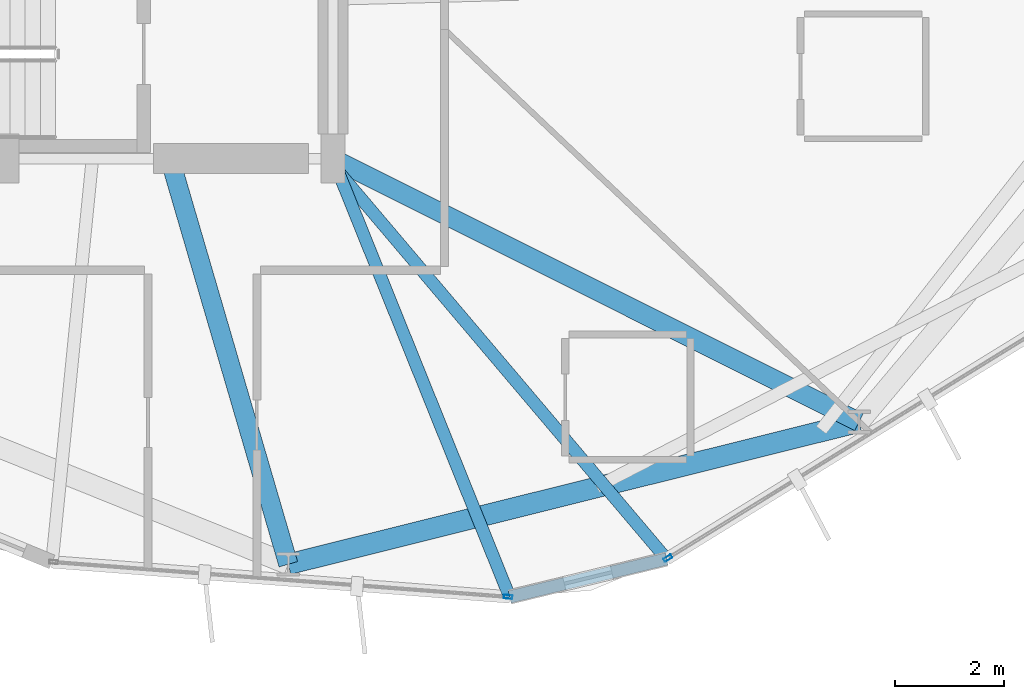
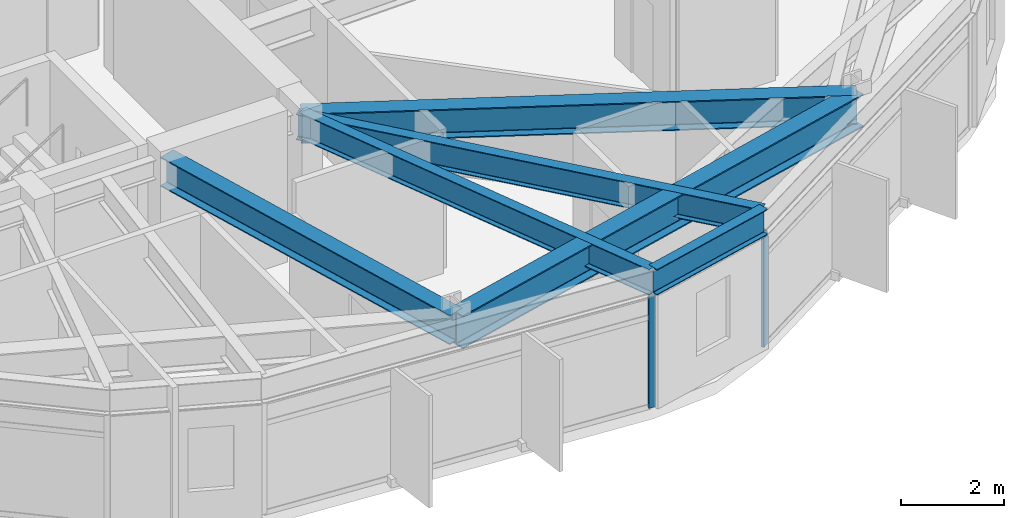
# One storey, part 4 of 21: 6 beams, 2 members, 2 elements without a shape of their own.
"""IFC4 building model written with IfcOpenShell, lengths in metres."""

from ifc_helpers import new_model, si_unit, direction, frame, origin, origin_2d, place, context, subcontext, project, spatial, hollow_rectangle, i_section, extrude, material, layer, layer_set, material_profile, profile_set, type_object, element, aggregate, save


model = new_model("IFC4")

# Units and contexts
model_context = context("Model", 3, precision=1e-05, world=origin(), true_north=direction((0.0, 1.0)))
body_context = subcontext(model_context, "Body", "Model", "MODEL_VIEW")
ifc_project = project(units=[si_unit("LENGTHUNIT", "METRE"), si_unit("AREAUNIT", "SQUARE_METRE"), si_unit("VOLUMEUNIT", "CUBIC_METRE"), si_unit("PLANEANGLEUNIT", "RADIAN"), si_unit("MASSUNIT", "GRAM", prefix="KILO")], contexts=[model_context])

# Site, building, storey
site_placement = place(None, origin())
site = spatial("IfcSite", under=ifc_project, at=site_placement, CompositionType="ELEMENT")
building_placement = place(site_placement, origin())
building = spatial("IfcBuilding", under=site, at=building_placement, Name="Soratama Intermodal Tower", CompositionType="ELEMENT")
storey_placement = place(building_placement, frame((0.0, 0.0, 149.800048828125)))
storey = spatial("IfcBuildingStorey", under=building, at=storey_placement, Name="L36", CompositionType="ELEMENT", Elevation=149.800048828125)

# Beams
ifc_material_1 = material(Name="Structural steel ASTM A992 Grade 50", Category="steel")
ifc_material_profile_1 = material_profile(ifc_material_1, i_section(OverallWidth=0.35498046875, OverallDepth=0.695068359375, WebThickness=0.015380859375, FlangeThickness=0.02490234375, FilletRadius=0.01611328125, at=origin_2d()), Name="W27X146")
ifc_profile_set_1 = profile_set([ifc_material_profile_1], Name="Structural steel ASTM A992 Grade 50")
beam_type_1 = type_object("IfcBeamType", Name="BM-RING-W27X146", PredefinedType="BEAM", material=ifc_profile_set_1)
beam_1_placement = place(storey_placement, frame((41.60009765625, 15.0, 2.952392578125), z_axis=(0.280473008484, -0.959861912731, 0.0), x_axis=(0.959861912731, 0.280473008484, 0.0)))
element("IfcBeam", 1, at=beam_1_placement, inside=storey, type_object=beam_type_1, Name="BM-L36-RAD-08", PredefinedType="BEAM", context=body_context, shape_type="SweptSolid", body=[
    extrude(i_section(OverallWidth=0.35498046875, OverallDepth=0.695068359375, WebThickness=0.015380859375, FlangeThickness=0.02490234375, FilletRadius=0.01611328125, at=origin_2d()), origin(), (0.0, 0.0, 1.0), 7.768798828125),
])
beam_2_placement = place(storey_placement, frame((44.60009765625, 15.0, 2.952392578125), z_axis=(0.894273669201, -0.447520507434, 0.0), x_axis=(0.447520507434, 0.894273669201, 0.0)))
element("IfcBeam", 2, at=beam_2_placement, inside=storey, type_object=beam_type_1, Name="BM-L36-RAD-09", PredefinedType="BEAM", context=body_context, shape_type="SweptSolid", body=[
    extrude(i_section(OverallWidth=0.35498046875, OverallDepth=0.695068359375, WebThickness=0.015380859375, FlangeThickness=0.02490234375, FilletRadius=0.01611328125, at=origin_2d()), origin(), (0.0, 0.0, 1.0), 10.817626953125),
])
ifc_material_2 = material(Name="Structural steel ASTM A992 Grade 50", Category="steel")
ifc_material_profile_2 = material_profile(ifc_material_2, i_section(OverallWidth=0.382080078125, OverallDepth=0.779052734375, WebThickness=0.01806640625, FlangeThickness=0.030029296875, FilletRadius=0.01806640625, at=origin_2d()), Name="W30X191")
ifc_profile_set_2 = profile_set([ifc_material_profile_2], Name="Structural steel ASTM A992 Grade 50")
beam_type_2 = type_object("IfcBeamType", Name="BM-RING-W30X191", PredefinedType="BEAM", material=ifc_profile_set_2)
beam_3_placement = place(storey_placement, frame((43.779052734375, 7.54296875, 2.910400390625), z_axis=(0.970310893227, 0.241861056155, 0.0), x_axis=(-0.241861056155, 0.970310893227, 0.0)))
element("IfcBeam", 3, at=beam_3_placement, inside=storey, type_object=beam_type_2, Name="BM-L36-RING-08", PredefinedType="BEAM", context=body_context, shape_type="SweptSolid", body=[
    extrude(i_section(OverallWidth=0.382080078125, OverallDepth=0.779052734375, WebThickness=0.01806640625, FlangeThickness=0.030029296875, FilletRadius=0.01806640625, at=origin_2d()), origin(), (0.0, 0.0, 1.0), 10.81591796875),
])
ifc_material_3 = material(Name="Structural steel ASTM A992 Grade 50", Category="steel")
ifc_material_profile_3 = material_profile(ifc_material_3, i_section(OverallWidth=0.22900390625, OverallDepth=0.612060546875, WebThickness=0.011962890625, FlangeThickness=0.01953125, FilletRadius=0.012939453125, at=origin_2d()), Name="W24X84")
ifc_profile_set_3 = profile_set([ifc_material_profile_3], Name="Structural steel ASTM A992 Grade 50")
beam_type_3 = type_object("IfcBeamType", Name="BM-SPN-W24X84", PredefinedType="SPANDREL", material=ifc_profile_set_3)
beam_4_placement = place(storey_placement, frame((47.84912109375, 6.94091796875, 2.993896484375), z_axis=(0.971859809736, 0.235559992827, 0.0), x_axis=(-0.235559992827, 0.971859809736, 0.0)))
element("IfcBeam", 4, at=beam_4_placement, inside=storey, type_object=beam_type_3, Name="BS-L36-CRN07", PredefinedType="SPANDREL", context=body_context, shape_type="SweptSolid", body=[
    extrude(i_section(OverallWidth=0.22900390625, OverallDepth=0.612060546875, WebThickness=0.011962890625, FlangeThickness=0.01953125, FilletRadius=0.012939453125, at=origin_2d()), origin(), (0.0, 0.0, 1.0), 2.96728515625),
])
ifc_material_4 = material(Name="Structural steel ASTM A992 Grade 50", Category="steel")
ifc_material_profile_4 = material_profile(ifc_material_4, i_section(OverallWidth=0.22900390625, OverallDepth=0.612060546875, WebThickness=0.011962890625, FlangeThickness=0.01953125, FilletRadius=0.012939453125, at=origin_2d()), Name="W24X84")
ifc_profile_set_4 = profile_set([ifc_material_profile_4], Name="Structural steel ASTM A992 Grade 50")
beam_type_4 = type_object("IfcBeamType", Name="BM-TIE-W24X84", PredefinedType="BEAM", material=ifc_profile_set_4)
beam_5_placement = place(storey_placement, frame((44.614013671875, 14.962890625, 2.993896484375), z_axis=(0.374012191831, -0.927423786821, 0.0), x_axis=(0.927423786821, 0.374012191831, 0.0)))
element("IfcBeam", 5, at=beam_5_placement, inside=storey, type_object=beam_type_4, Name="BM-L36-TIE1-07", PredefinedType="BEAM", context=body_context, shape_type="SweptSolid", body=[
    extrude(i_section(OverallWidth=0.22900390625, OverallDepth=0.612060546875, WebThickness=0.011962890625, FlangeThickness=0.01953125, FilletRadius=0.012939453125, at=origin_2d()), origin(), (0.0, 0.0, 1.0), 8.649658203125),
])
beam_6_placement = place(storey_placement, frame((44.52197265625, 14.968994140625, 2.993896484375), z_axis=(0.646511667735, -0.762904098483, 0.0), x_axis=(0.762904098483, 0.646511667735, 0.0)))
element("IfcBeam", 6, at=beam_6_placement, inside=storey, type_object=beam_type_4, Name="BM-L36-TIE0-08", PredefinedType="BEAM", context=body_context, shape_type="SweptSolid", body=[
    extrude(i_section(OverallWidth=0.22900390625, OverallDepth=0.612060546875, WebThickness=0.011962890625, FlangeThickness=0.01953125, FilletRadius=0.012939453125, at=origin_2d()), origin(), (0.0, 0.0, 1.0), 9.60693359375),
])

# Curtain wall, member
ifc_material_5 = material(Name="Double-glazed aluminium curtain wall", Category="aluminium")
ifc_layer = layer(ifc_material_5, 0.159912109375)
ifc_layer_set = layer_set([ifc_layer], Name="Double-glazed aluminium curtain wall")
curtain_wall_type = type_object("IfcCurtainWallType", Name="CW-SYS-4", PredefinedType="NOTDEFINED", material=ifc_layer_set)
curtain_wall_1_placement = place(storey_placement, origin())
curtain_wall_1 = element("IfcCurtainWall", 7, at=curtain_wall_1_placement, inside=storey, type_object=curtain_wall_type, Name="L36 Faceted Curtain Wall F07", PredefinedType="NOTDEFINED")
ifc_material_6 = material(Name="Anodised aluminium AA 6063-T6", Category="aluminium")
ifc_material_profile_5 = material_profile(ifc_material_6, hollow_rectangle(XDim=0.070068359375, YDim=0.159912109375, WallThickness=0.0048828125, InnerFilletRadius=0.0048828125, OuterFilletRadius=0.010009765625, at=origin_2d()), Name="CWM160X70X5")
ifc_profile_set_5 = profile_set([ifc_material_profile_5], Name="Anodised aluminium AA 6063-T6")
member_type = type_object("IfcMemberType", Name="MT-CWM-4", PredefinedType="MULLION", material=ifc_profile_set_5)
member_1_placement = place(storey_placement, frame((47.819580078125, 6.943603515625, 0.0), z_axis=(0.0, 0.0, 1.0), x_axis=(0.076370334311, 0.997079521421, 0.0)))
member_1 = element("IfcMember", 8, at=member_1_placement, type_object=member_type, Name="CW-4 mullion 2", PredefinedType="MULLION", context=body_context, shape_type="SweptSolid", body=[
    extrude(hollow_rectangle(XDim=0.070068359375, YDim=0.159912109375, WallThickness=0.0048828125, InnerFilletRadius=0.0048828125, OuterFilletRadius=0.010009765625, at=origin_2d()), origin(), (0.0, 0.0, 1.0), 2.678955078125),
])
aggregate(curtain_wall_1, [member_1])

curtain_wall_2_placement = place(storey_placement, origin())
curtain_wall_2 = element("IfcCurtainWall", 9, at=curtain_wall_2_placement, inside=storey, type_object=curtain_wall_type, Name="L36 Faceted Curtain Wall F08", PredefinedType="NOTDEFINED")
member_2_placement = place(storey_placement, frame((50.758056640625, 7.655517578125, 0.0), z_axis=(0.0, 0.0, 1.0), x_axis=(-0.524276554696, 0.851548057479, 0.0)))
member_2 = element("IfcMember", 10, at=member_2_placement, type_object=member_type, Name="CW-4 mullion 1", PredefinedType="MULLION", context=body_context, shape_type="SweptSolid", body=[
    extrude(hollow_rectangle(XDim=0.070068359375, YDim=0.159912109375, WallThickness=0.0048828125, InnerFilletRadius=0.0048828125, OuterFilletRadius=0.010009765625, at=origin_2d()), origin(), (0.0, 0.0, 1.0), 2.678955078125),
])
aggregate(curtain_wall_2, [member_2])

save(model, "model.ifc")
